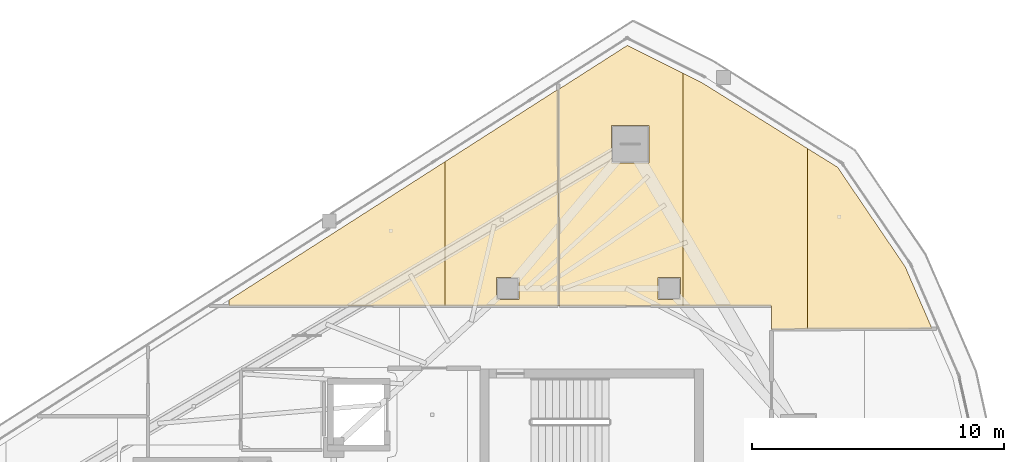
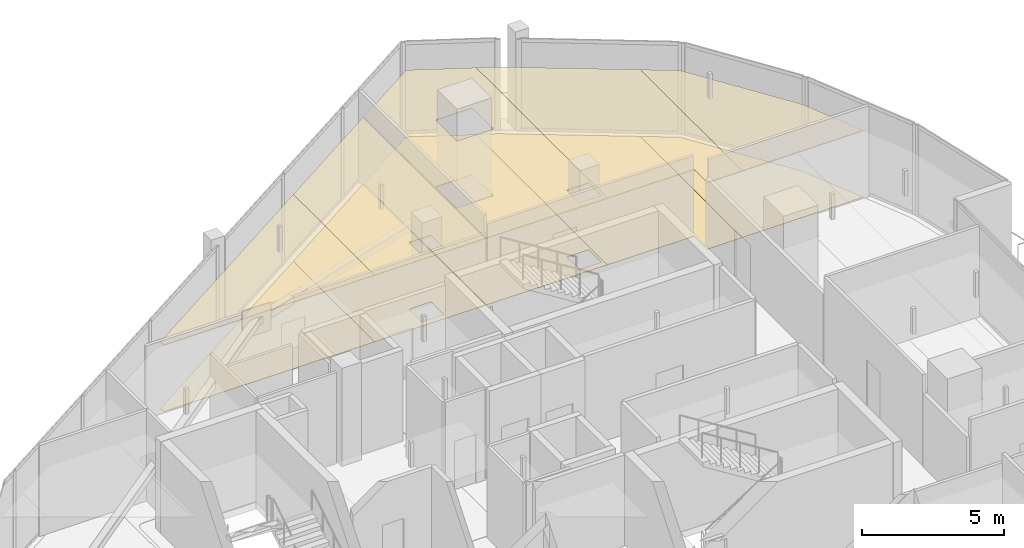
# One storey, part 25 of 25: 10 coverings.
"""IFC4 building model written with IfcOpenShell, lengths in metres."""

from ifc_helpers import new_model, si_unit, direction, frame, origin, place, context, subcontext, project, spatial, polyline, outline, extrude, material, layer, layer_set, type_object, element, save


model = new_model("IFC4")

# Units and contexts
model_context = context("Model", 3, precision=1e-05, world=origin(), true_north=direction((0.0, 1.0)))
body_context = subcontext(model_context, "Body", "Model", "MODEL_VIEW")
ifc_project = project(units=[si_unit("LENGTHUNIT", "METRE"), si_unit("AREAUNIT", "SQUARE_METRE"), si_unit("VOLUMEUNIT", "CUBIC_METRE"), si_unit("PLANEANGLEUNIT", "RADIAN"), si_unit("MASSUNIT", "GRAM", prefix="KILO")], contexts=[model_context])

# Site, building, storey
site_placement = place(None, origin())
site = spatial("IfcSite", under=ifc_project, at=site_placement, CompositionType="ELEMENT")
building_placement = place(site_placement, origin())
building = spatial("IfcBuilding", under=site, at=building_placement, Name="Qorvath Tower", CompositionType="ELEMENT")
storey_placement = place(building_placement, frame((0.0, 0.0, 314.39990234375)))
storey = spatial("IfcBuildingStorey", under=building, at=storey_placement, Name="L73", CompositionType="ELEMENT", Elevation=314.39990234375)

# Coverings
ifc_material_1 = material(Name="Acoustic mineral fibre ceiling tile", Category="gypsum")
ifc_layer_1 = layer(ifc_material_1, 0.030029296875)
ifc_layer_set_1 = layer_set([ifc_layer_1], Name="COV-CEIL")
covering_type_1 = type_object("IfcCoveringType", Name="COV-CEIL", PredefinedType="CEILING", material=ifc_layer_set_1)
covering_1_placement = place(storey_placement, frame((0.0, 0.0, 2.85009765625)))
element("IfcCovering", 1, at=covering_1_placement, inside=storey, type_object=covering_type_1, Name="L73 Suspended Acoustic Ceiling 013", PredefinedType="CEILING", context=body_context, shape_type="SweptSolid", body=[
    extrude(outline(polyline([(-26.098388671875, 10.762939453125), (-26.098388671875, 16.47314453125), (-34.64501953125, 10.99951171875), (-34.64501953125, 10.762939453125), (-26.098388671875, 10.762939453125)])), origin(), (0.0, 0.0, 1.0), 0.030029296875),
])
covering_2_placement = place(storey_placement, frame((0.0, 0.0, 2.85009765625)))
element("IfcCovering", 2, at=covering_2_placement, inside=storey, type_object=covering_type_1, Name="L73 Suspended Acoustic Ceiling 014", PredefinedType="CEILING", context=body_context, shape_type="SweptSolid", body=[
    extrude(outline(polyline([(-21.59130859375, 10.762939453125), (-21.607177734375, 19.349365234375), (-26.098388671875, 16.47314453125), (-26.098388671875, 10.762939453125), (-21.59130859375, 10.762939453125)]), holes=[polyline([(-24.04248046875, 11.007568359375), (-24.04248046875, 11.892333984375), (-23.157470703125, 11.892333984375), (-23.157470703125, 11.007568359375), (-24.04248046875, 11.007568359375)])]), origin(), (0.0, 0.0, 1.0), 0.030029296875),
])
covering_3_placement = place(storey_placement, frame((0.0, 0.0, 2.85009765625)))
element("IfcCovering", 3, at=covering_3_placement, inside=storey, type_object=covering_type_1, Name="L73 Suspended Acoustic Ceiling 015", PredefinedType="CEILING", context=body_context, shape_type="SweptSolid", body=[
    extrude(outline(polyline([(-16.654052734375, 10.760009765625), (-16.654052734375, 19.98876953125), (-18.85693359375, 21.090087890625), (-21.589111328125, 19.343994140625), (-21.5732421875, 10.762939453125), (-16.654052734375, 10.760009765625)]), holes=[polyline([(-17.642333984375, 11.007568359375), (-17.642333984375, 11.892333984375), (-16.757568359375, 11.892333984375), (-16.757568359375, 11.007568359375), (-17.642333984375, 11.007568359375)]), polyline([(-19.492919921875, 16.43310546875), (-19.492919921875, 17.91796875), (-18.008056640625, 17.91796875), (-18.008056640625, 16.43310546875), (-19.492919921875, 16.43310546875)])]), origin(), (0.0, 0.0, 1.0), 0.030029296875),
])
covering_4_placement = place(storey_placement, frame((0.0, 0.0, 2.85009765625)))
element("IfcCovering", 4, at=covering_4_placement, inside=storey, type_object=covering_type_1, Name="L73 Suspended Acoustic Ceiling 016", PredefinedType="CEILING", context=body_context, shape_type="SweptSolid", body=[
    extrude(outline(polyline([(-13.136962890625, 10.758056640625), (-13.136962890625, 9.83349609375), (-11.71875, 9.839599609375), (-11.71875, 17.001953125), (-15.942626953125, 19.633056640625), (-16.654052734375, 19.98876953125), (-16.654052734375, 10.760009765625), (-13.136962890625, 10.758056640625)])), origin(), (0.0, 0.0, 1.0), 0.030029296875),
])
covering_5_placement = place(storey_placement, frame((0.0, 0.0, 2.85009765625)))
element("IfcCovering", 5, at=covering_5_placement, inside=storey, type_object=covering_type_1, Name="L73 Suspended Acoustic Ceiling 017", PredefinedType="CEILING", context=body_context, shape_type="SweptSolid", body=[
    extrude(outline(polyline([(-11.71875, 17.001953125), (-11.71875, 9.839599609375), (-6.78369140625, 9.861328125), (-7.849365234375, 12.319580078125), (-10.52783203125, 16.26025390625), (-11.71875, 17.001953125)])), origin(), (0.0, 0.0, 1.0), 0.030029296875),
])
ifc_material_2 = material(Name="Low-VOC modular carpet tile", Category="textile")
ifc_layer_2 = layer(ifc_material_2, 0.014892578125)
ifc_layer_set_2 = layer_set([ifc_layer_2], Name="COV-FLOOR-CPT")
covering_type_2 = type_object("IfcCoveringType", Name="COV-FLOOR-CPT", PredefinedType="FLOORING", material=ifc_layer_set_2)
covering_6_placement = place(storey_placement, origin())
element("IfcCovering", 6, at=covering_6_placement, inside=storey, type_object=covering_type_2, Name="L73 Floor Finish 013", PredefinedType="FLOORING", context=body_context, shape_type="SweptSolid", body=[
    extrude(outline(polyline([(-26.098388671875, 10.762939453125), (-26.098388671875, 16.47314453125), (-34.64501953125, 10.99951171875), (-34.64501953125, 10.762939453125), (-26.098388671875, 10.762939453125)])), origin(), (0.0, 0.0, 1.0), 0.01513671875),
])
covering_7_placement = place(storey_placement, origin())
element("IfcCovering", 7, at=covering_7_placement, inside=storey, type_object=covering_type_2, Name="L73 Floor Finish 014", PredefinedType="FLOORING", context=body_context, shape_type="SweptSolid", body=[
    extrude(outline(polyline([(-21.59130859375, 10.762939453125), (-21.607177734375, 19.349365234375), (-26.098388671875, 16.47314453125), (-26.098388671875, 10.762939453125), (-21.59130859375, 10.762939453125)]), holes=[polyline([(-24.04248046875, 11.007568359375), (-24.04248046875, 11.892333984375), (-23.157470703125, 11.892333984375), (-23.157470703125, 11.007568359375), (-24.04248046875, 11.007568359375)])]), origin(), (0.0, 0.0, 1.0), 0.01513671875),
])
covering_8_placement = place(storey_placement, origin())
element("IfcCovering", 8, at=covering_8_placement, inside=storey, type_object=covering_type_2, Name="L73 Floor Finish 015", PredefinedType="FLOORING", context=body_context, shape_type="SweptSolid", body=[
    extrude(outline(polyline([(-16.654052734375, 10.760009765625), (-16.654052734375, 19.98876953125), (-18.85693359375, 21.090087890625), (-21.589111328125, 19.343994140625), (-21.5732421875, 10.762939453125), (-16.654052734375, 10.760009765625)]), holes=[polyline([(-17.642333984375, 11.007568359375), (-17.642333984375, 11.892333984375), (-16.757568359375, 11.892333984375), (-16.757568359375, 11.007568359375), (-17.642333984375, 11.007568359375)]), polyline([(-19.492919921875, 16.43310546875), (-19.492919921875, 17.91796875), (-18.008056640625, 17.91796875), (-18.008056640625, 16.43310546875), (-19.492919921875, 16.43310546875)])]), origin(), (0.0, 0.0, 1.0), 0.01513671875),
])
covering_9_placement = place(storey_placement, origin())
element("IfcCovering", 9, at=covering_9_placement, inside=storey, type_object=covering_type_2, Name="L73 Floor Finish 016", PredefinedType="FLOORING", context=body_context, shape_type="SweptSolid", body=[
    extrude(outline(polyline([(-13.136962890625, 10.758056640625), (-13.136962890625, 9.83349609375), (-11.71875, 9.839599609375), (-11.71875, 17.001953125), (-15.942626953125, 19.633056640625), (-16.654052734375, 19.98876953125), (-16.654052734375, 10.760009765625), (-13.136962890625, 10.758056640625)])), origin(), (0.0, 0.0, 1.0), 0.01513671875),
])
covering_10_placement = place(storey_placement, origin())
element("IfcCovering", 10, at=covering_10_placement, inside=storey, type_object=covering_type_2, Name="L73 Floor Finish 017", PredefinedType="FLOORING", context=body_context, shape_type="SweptSolid", body=[
    extrude(outline(polyline([(-11.71875, 17.001953125), (-11.71875, 9.839599609375), (-6.78369140625, 9.861328125), (-7.849365234375, 12.319580078125), (-10.52783203125, 16.26025390625), (-11.71875, 17.001953125)])), origin(), (0.0, 0.0, 1.0), 0.01513671875),
])

save(model, "model.ifc")
